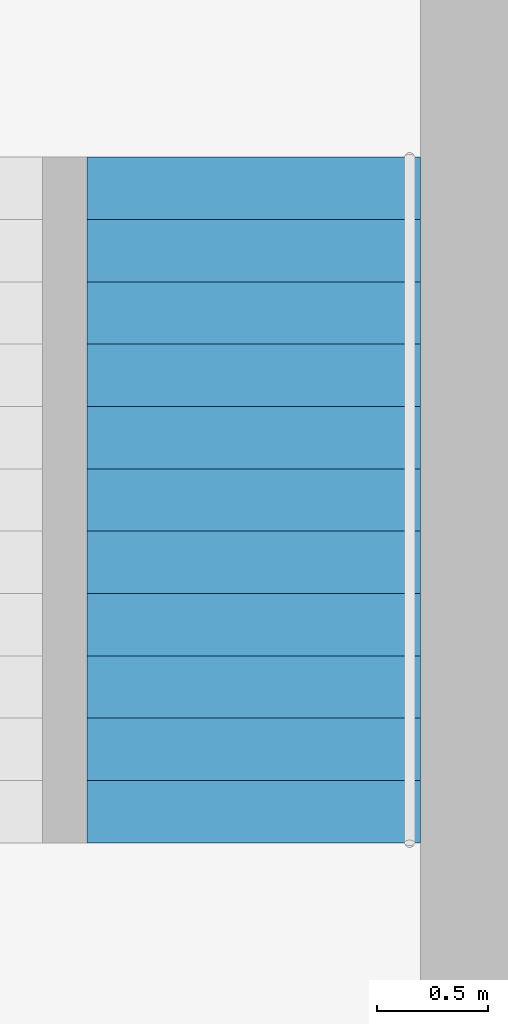
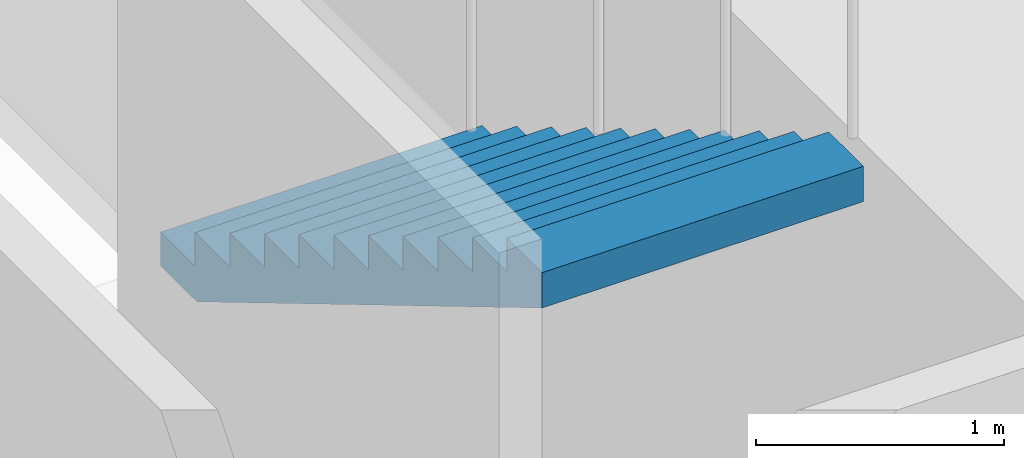
# One storey, part 11 of 14: 1 stair flight, 1 element without a shape of its own.
"""IFC4 building model written with IfcOpenShell, lengths in metres."""

from ifc_helpers import new_model, si_unit, direction, frame, origin, place, context, subcontext, project, spatial, polyline, outline, extrude, material, type_object, element, aggregate, save


model = new_model("IFC4")

# Units and contexts
model_context = context("Model", 3, precision=1e-05, world=origin(), true_north=direction((0.0, 1.0)))
body_context = subcontext(model_context, "Body", "Model", "MODEL_VIEW")
ifc_project = project(units=[si_unit("LENGTHUNIT", "METRE"), si_unit("AREAUNIT", "SQUARE_METRE"), si_unit("VOLUMEUNIT", "CUBIC_METRE"), si_unit("PLANEANGLEUNIT", "RADIAN"), si_unit("MASSUNIT", "GRAM", prefix="KILO")], contexts=[model_context])

# Site, building, storey
site_placement = place(None, origin())
site = spatial("IfcSite", under=ifc_project, at=site_placement, CompositionType="ELEMENT")
building_placement = place(site_placement, origin())
building = spatial("IfcBuilding", under=site, at=building_placement, Name="Svetlomir Tower", CompositionType="ELEMENT")
storey_placement = place(building_placement, frame((0.0, 0.0, 104.5)))
storey = spatial("IfcBuildingStorey", under=building, at=storey_placement, Name="L24", CompositionType="ELEMENT", Elevation=104.5)

# Stair, stair flight
ifc_material_1 = material(Name="Concrete C60/75", Category="concrete")
stair_type = type_object("IfcStairType", Name="EXIT STAIR 3200 RISE 4000", PredefinedType="HALF_TURN_STAIR", material=ifc_material_1)
stair_placement = place(storey_placement, origin())
stair = element("IfcStair", 1, at=stair_placement, inside=storey, type_object=stair_type, Name="Stair S2 L24 to L25", PredefinedType="HALF_TURN_STAIR")
ifc_material_2 = material(Name="Concrete C60/75", Category="concrete")
stair_flight_type = type_object("IfcStairFlightType", Name="STAIR FLIGHT 1500 OF 12 RISERS", PredefinedType="STRAIGHT", material=ifc_material_2)
stair_flight_placement = place(storey_placement, frame((28.64990234375, 25.3798828125, 2.0), z_axis=(0.0, 0.0, 1.0), x_axis=(0.0, -1.0, 0.0)))
stair_flight = element("IfcStairFlight", 2, at=stair_flight_placement, type_object=stair_flight_type, Name="S2 flight 2", NumberOfRisers=12, NumberOfTreads=11, PredefinedType="STRAIGHT", RiserHeight=0.166666667, TreadLength=0.28, context=body_context, shape_type="SweptSolid", body=[
    extrude(outline(polyline([(0.0, 0.0), (0.0, 0.166748046875), (0.280029296875, 0.166748046875), (0.280029296875, 0.333251953125), (0.56005859375, 0.333251953125), (0.56005859375, 0.5), (0.840087890625, 0.5), (0.840087890625, 0.666748046875), (1.1201171875, 0.666748046875), (1.1201171875, 0.833251953125), (1.39990234375, 0.833251953125), (1.39990234375, 1.0), (1.679931640625, 1.0), (1.679931640625, 1.166748046875), (1.9599609375, 1.166748046875), (1.9599609375, 1.333251953125), (2.239990234375, 1.333251953125), (2.239990234375, 1.5), (2.52001953125, 1.5), (2.52001953125, 1.666748046875), (2.800048828125, 1.666748046875), (2.800048828125, 1.833251953125), (3.080078125, 1.833251953125), (3.080078125, 2.0), (3.080078125, 1.658935546875), (0.29296875, 0.0), (0.0, 0.0)])), frame((0.0, 0.75, 0.0), z_axis=(0.0, -1.0, 0.0), x_axis=(1.0, 0.0, 0.0)), (0.0, 0.0, 1.0), 1.5),
])
aggregate(stair, [stair_flight])

save(model, "model.ifc")
